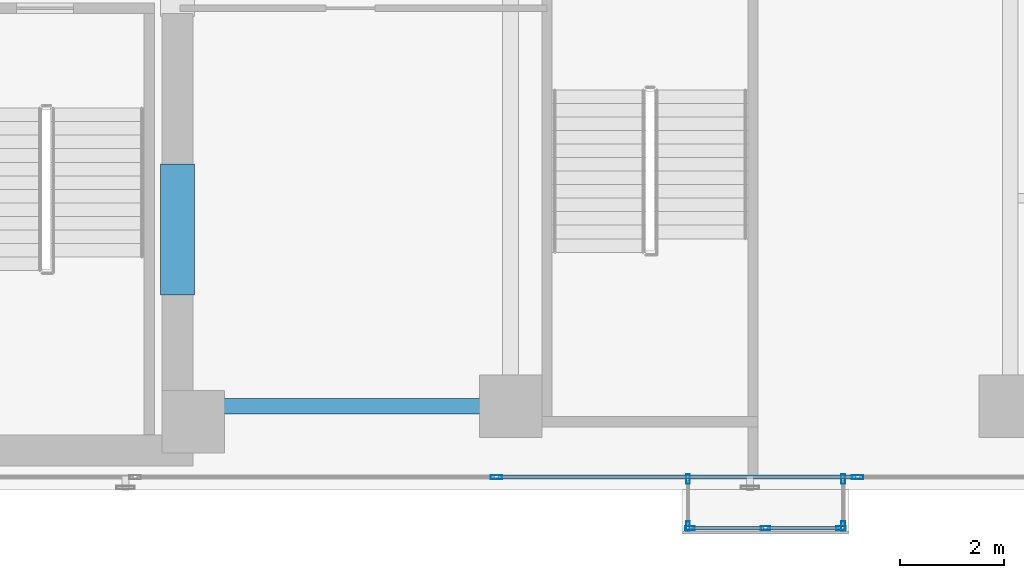
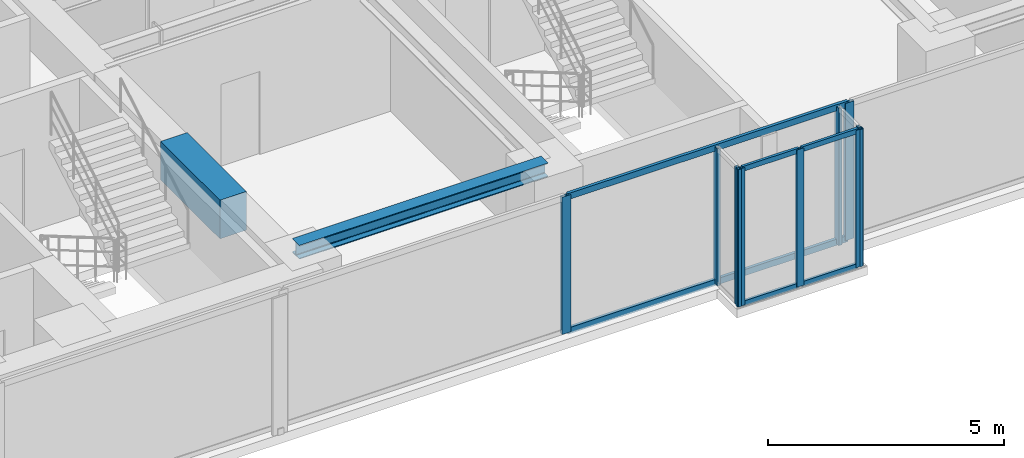
# One storey, part 4 of 24: 15 members, 2 beams, 4 elements without a shape of their own.
"""IFC4 building model written with IfcOpenShell, lengths in metres."""

from ifc_helpers import new_model, si_unit, direction, frame, origin, origin_with_axes, origin_2d, place, context, subcontext, project, spatial, rectangle, hollow_rectangle, i_section, extrude, source, transform, mapped, material, layer, layer_set, material_profile, profile_set, type_object, element, aggregate, save


model = new_model("IFC4")

# Units and contexts
model_context = context("Model", 3, precision=1e-05, world=origin(), true_north=direction((0.0, 1.0)))
body_context = subcontext(model_context, "Body", "Model", "MODEL_VIEW")
ifc_project = project(units=[si_unit("LENGTHUNIT", "METRE"), si_unit("AREAUNIT", "SQUARE_METRE"), si_unit("VOLUMEUNIT", "CUBIC_METRE"), si_unit("PLANEANGLEUNIT", "RADIAN"), si_unit("MASSUNIT", "GRAM", prefix="KILO")], contexts=[model_context])

# Site, building, storey
site_placement = place(None, origin())
site = spatial("IfcSite", under=ifc_project, at=site_placement, CompositionType="ELEMENT")
building_placement = place(site_placement, origin())
building = spatial("IfcBuilding", under=site, at=building_placement, Name="Kolvaren Waterfront Exchange", CompositionType="ELEMENT")
storey_placement = place(building_placement, frame((0.0, 0.0, 157.60009765625)))
storey = spatial("IfcBuildingStorey", under=building, at=storey_placement, Name="L40", CompositionType="ELEMENT", Elevation=157.60009765625)

# Beams
ifc_material_1 = material(Name="Steel S355", Category="steel")
ifc_material_profile_1 = material_profile(ifc_material_1, i_section(OverallWidth=0.300048828125, OverallDepth=0.360107421875, WebThickness=0.012451171875, FlangeThickness=0.0224609375, FilletRadius=0.027099609375, at=origin_2d()), Name="HEB360")
ifc_profile_set_1 = profile_set([ifc_material_profile_1], Name="Steel S355")
beam_type_1 = type_object("IfcBeamType", Name="STR-BM-HEB360", PredefinedType="SPANDREL", material=ifc_profile_set_1)
beam_1_placement = place(storey_placement, frame((21.10009765625, 5.199951171875, 3.3798828125), z_axis=(1.0, 0.0, 0.0), x_axis=(0.0, 1.0, 0.0)))
element("IfcBeam", 1, at=beam_1_placement, inside=storey, type_object=beam_type_1, Name="L40 east-arm spandrel S1", PredefinedType="SPANDREL", context=body_context, shape_type="SweptSolid", body=[
    extrude(i_section(OverallWidth=0.300048828125, OverallDepth=0.360107421875, WebThickness=0.012451171875, FlangeThickness=0.0224609375, FilletRadius=0.027099609375, at=origin_2d()), origin(), (0.0, 0.0, 1.0), 6.099853515625),
])
ifc_material_2 = material(Name="Concrete C60/75", Category="concrete")
ifc_material_profile_2 = material_profile(ifc_material_2, rectangle(XDim=0.64990234375, YDim=1.0, at=origin_2d()), Name="RC-CB-1000x650")
ifc_profile_set_2 = profile_set([ifc_material_profile_2], Name="Concrete C60/75")
beam_type_2 = type_object("IfcBeamType", Name="STR-CB-1000", PredefinedType="SPANDREL", material=ifc_profile_set_2)
beam_2_placement = place(storey_placement, frame((20.800048828125, 7.340087890625, 3.059814453125), z_axis=(0.0, 1.0, 0.0), x_axis=(-1.0, 0.0, 0.0)))
element("IfcBeam", 2, at=beam_2_placement, inside=storey, type_object=beam_type_2, Name="L40 core coupling beam 1", PredefinedType="SPANDREL", context=body_context, shape_type="SweptSolid", body=[
    extrude(rectangle(XDim=0.64990234375, YDim=1.0, at=origin_2d()), origin(), (0.0, 0.0, 1.0), 2.52001953125),
])

# Curtain wall, members
ifc_material_3 = material(Name="Anodised bronze aluminium 6063-T6", Category="aluminium")
ifc_layer_1 = layer(ifc_material_3, 0.219970703125, Name="Anodised bronze aluminium 6063-T6")
ifc_layer_set_1 = layer_set([ifc_layer_1], Name="Anodised bronze aluminium 6063-T6")
curtain_wall_type_1 = type_object("IfcCurtainWallType", Name="ARC-CW-SYS3", PredefinedType="USERDEFINED", material=ifc_layer_set_1)
curtain_wall_1_placement = place(storey_placement, origin())
curtain_wall_1 = element("IfcCurtainWall", 3, at=curtain_wall_1_placement, inside=storey, type_object=curtain_wall_type_1, Name="L40 stick curtain wall CW3 (CW-L40-BOX)", ObjectType="STICK CURTAIN WALL", PredefinedType="USERDEFINED")
ifc_material_profile_3 = material_profile(ifc_material_3, hollow_rectangle(XDim=0.06494140625, YDim=0.1298828125, WallThickness=0.00390625, at=origin_2d()), Name="ALU-TRN-130x65x4")
ifc_profile_set_3 = profile_set([ifc_material_profile_3], Name="Anodised bronze aluminium 6063-T6")
member_type_1 = type_object("IfcMemberType", Name="ARC-CWT-130", PredefinedType="USERDEFINED", material=ifc_profile_set_3)
shared_shape_1 = source(origin_with_axes(), body_context, "Body", "SweptSolid", [
    extrude(hollow_rectangle(XDim=0.06494140625, YDim=0.1298828125, WallThickness=0.00390625, at=origin_2d()), origin(), (0.0, 0.0, 1.0), 1.37744140625),
])
member_1_placement = place(storey_placement, frame((30.68505859375, 2.860107421875, 0.032470703125), z_axis=(1.0, 0.0, 0.0), x_axis=(0.0, 1.0, 0.0)))
member_1 = element("IfcMember", 4, at=member_1_placement, type_object=member_type_1, Name="CW3 transom 1.1", ObjectType="TRANSOM", PredefinedType="USERDEFINED", context=body_context, shape_type="MappedRepresentation", body=[
    mapped(shared_shape_1, transform((0.0, 0.0, 0.0), x_axis=(1.0, 0.0, 0.0), y_axis=(0.0, 1.0, 0.0), z_axis=(0.0, 0.0, 1.0), scale=1.0)),
])
member_2_placement = place(storey_placement, frame((30.68505859375, 2.860107421875, 3.52734375), z_axis=(1.0, 0.0, 0.0), x_axis=(0.0, 1.0, 0.0)))
member_2 = element("IfcMember", 5, at=member_2_placement, type_object=member_type_1, Name="CW3 transom 1.2", ObjectType="TRANSOM", PredefinedType="USERDEFINED", context=body_context, shape_type="MappedRepresentation", body=[
    mapped(shared_shape_1, transform((0.0, 0.0, 0.0), x_axis=(1.0, 0.0, 0.0), y_axis=(0.0, 1.0, 0.0), z_axis=(0.0, 0.0, 1.0), scale=1.0)),
])
member_3_placement = place(storey_placement, frame((32.137451171875, 2.860107421875, 0.032470703125), z_axis=(1.0, 0.0, 0.0), x_axis=(0.0, 1.0, 0.0)))
member_3 = element("IfcMember", 6, at=member_3_placement, type_object=member_type_1, Name="CW3 transom 2.1", ObjectType="TRANSOM", PredefinedType="USERDEFINED", context=body_context, shape_type="MappedRepresentation", body=[
    mapped(shared_shape_1, transform((0.0, 0.0, 0.0), x_axis=(1.0, 0.0, 0.0), y_axis=(0.0, 1.0, 0.0), z_axis=(0.0, 0.0, 1.0), scale=1.0)),
])
member_4_placement = place(storey_placement, frame((32.137451171875, 2.860107421875, 3.52734375), z_axis=(1.0, 0.0, 0.0), x_axis=(0.0, 1.0, 0.0)))
member_4 = element("IfcMember", 7, at=member_4_placement, type_object=member_type_1, Name="CW3 transom 2.2", ObjectType="TRANSOM", PredefinedType="USERDEFINED", context=body_context, shape_type="MappedRepresentation", body=[
    mapped(shared_shape_1, transform((0.0, 0.0, 0.0), x_axis=(1.0, 0.0, 0.0), y_axis=(0.0, 1.0, 0.0), z_axis=(0.0, 0.0, 1.0), scale=1.0)),
])

ifc_layer_2 = layer(ifc_material_3, 0.219970703125, Name="Anodised bronze aluminium 6063-T6")
ifc_layer_set_2 = layer_set([ifc_layer_2], Name="Anodised bronze aluminium 6063-T6")
curtain_wall_type_2 = type_object("IfcCurtainWallType", Name="ARC-CW-SYS1", PredefinedType="USERDEFINED", material=ifc_layer_set_2)
curtain_wall_2_placement = place(storey_placement, origin())
curtain_wall_2 = element("IfcCurtainWall", 8, at=curtain_wall_2_placement, inside=storey, type_object=curtain_wall_type_2, Name="L40 stick curtain wall CW1 (CW-L40-S)", ObjectType="STICK CURTAIN WALL", PredefinedType="USERDEFINED")
ifc_material_4 = material(Name="Anodised aluminium 6063-T6", Category="aluminium")
ifc_material_profile_4 = material_profile(ifc_material_4, hollow_rectangle(XDim=0.074951171875, YDim=0.159912109375, WallThickness=0.00439453125, at=origin_2d()), Name="ALU-TRN-160x75x4.5")
ifc_profile_set_4 = profile_set([ifc_material_profile_4], Name="Anodised aluminium 6063-T6")
member_type_2 = type_object("IfcMemberType", Name="ARC-CWT-160", PredefinedType="USERDEFINED", material=ifc_profile_set_4)
shared_shape_2 = source(origin_with_axes(), body_context, "Body", "SweptSolid", [
    extrude(hollow_rectangle(XDim=0.074951171875, YDim=0.159912109375, WallThickness=0.00439453125, at=origin_2d()), origin(), (0.0, 0.0, 1.0), 6.863037109375),
])
member_5_placement = place(storey_placement, frame((26.968505859375, 3.840087890625, 0.037353515625), z_axis=(1.0, 0.0, 0.0), x_axis=(0.0, 1.0, 0.0)))
member_5 = element("IfcMember", 9, at=member_5_placement, type_object=member_type_2, Name="CW1 transom 4.1", ObjectType="TRANSOM", PredefinedType="USERDEFINED", context=body_context, shape_type="MappedRepresentation", body=[
    mapped(shared_shape_2, transform((0.0, 0.0, 0.0), x_axis=(1.0, 0.0, 0.0), y_axis=(0.0, 1.0, 0.0), z_axis=(0.0, 0.0, 1.0), scale=1.0)),
])
member_6_placement = place(storey_placement, frame((26.968505859375, 3.840087890625, 3.5224609375), z_axis=(1.0, 0.0, 0.0), x_axis=(0.0, 1.0, 0.0)))
member_6 = element("IfcMember", 10, at=member_6_placement, type_object=member_type_2, Name="CW1 transom 4.2", ObjectType="TRANSOM", PredefinedType="USERDEFINED", context=body_context, shape_type="MappedRepresentation", body=[
    mapped(shared_shape_2, transform((0.0, 0.0, 0.0), x_axis=(1.0, 0.0, 0.0), y_axis=(0.0, 1.0, 0.0), z_axis=(0.0, 0.0, 1.0), scale=1.0)),
])

curtain_wall_3_placement = place(storey_placement, origin())
curtain_wall_3 = element("IfcCurtainWall", 11, at=curtain_wall_3_placement, inside=storey, type_object=curtain_wall_type_1, Name="L40 stick curtain wall CW3 (CW-L40-BOX-W)", ObjectType="STICK CURTAIN WALL", PredefinedType="USERDEFINED")
ifc_material_profile_5 = material_profile(ifc_material_3, hollow_rectangle(XDim=0.074951171875, YDim=0.179931640625, WallThickness=0.00439453125, at=origin_2d()), Name="ALU-MUL-180x75x4.5")
ifc_profile_set_5 = profile_set([ifc_material_profile_5], Name="Anodised bronze aluminium 6063-T6")
member_type_3 = type_object("IfcMemberType", Name="ARC-CWM-180", PredefinedType="MULLION", material=ifc_profile_set_5)
shared_shape_3 = source(origin_with_axes(), body_context, "Body", "SweptSolid", [
    extrude(hollow_rectangle(XDim=0.074951171875, YDim=0.179931640625, WallThickness=0.00439453125, at=origin_2d()), origin(), (0.0, 0.0, 1.0), 3.559814453125),
])
member_7_placement = place(storey_placement, frame((30.610107421875, 3.802490234375, 0.0), z_axis=(0.0, 0.0, 1.0), x_axis=(1.0, 0.0, 0.0)))
member_7 = element("IfcMember", 12, at=member_7_placement, type_object=member_type_3, Name="CW3 mullion 1", PredefinedType="MULLION", context=body_context, shape_type="MappedRepresentation", body=[
    mapped(shared_shape_3, transform((0.0, 0.0, 0.0), x_axis=(1.0, 0.0, 0.0), y_axis=(0.0, 1.0, 0.0), z_axis=(0.0, 0.0, 1.0), scale=1.0)),
])
member_8_placement = place(storey_placement, frame((30.610107421875, 2.8974609375, 0.0), z_axis=(0.0, 0.0, 1.0), x_axis=(1.0, 0.0, 0.0)))
member_8 = element("IfcMember", 13, at=member_8_placement, type_object=member_type_3, Name="CW3 mullion 2", PredefinedType="MULLION", context=body_context, shape_type="MappedRepresentation", body=[
    mapped(shared_shape_3, transform((0.0, 0.0, 0.0), x_axis=(1.0, 0.0, 0.0), y_axis=(0.0, 1.0, 0.0), z_axis=(0.0, 0.0, 1.0), scale=1.0)),
])
aggregate(curtain_wall_3, [member_7, member_8])

# Member
member_9_placement = place(storey_placement, frame((30.6474609375, 2.860107421875, 0.0), z_axis=(0.0, 0.0, 1.0), x_axis=(0.0, 1.0, 0.0)))
member_9 = element("IfcMember", 14, at=member_9_placement, type_object=member_type_3, Name="CW3 mullion 1", PredefinedType="MULLION", context=body_context, shape_type="MappedRepresentation", body=[
    mapped(shared_shape_3, transform((0.0, 0.0, 0.0), x_axis=(1.0, 0.0, 0.0), y_axis=(0.0, 1.0, 0.0), z_axis=(0.0, 0.0, 1.0), scale=1.0)),
])

member_10_placement = place(storey_placement, frame((32.10009765625, 2.860107421875, 0.0), z_axis=(0.0, 0.0, 1.0), x_axis=(0.0, 1.0, 0.0)))
member_10 = element("IfcMember", 15, at=member_10_placement, type_object=member_type_3, Name="CW3 mullion 2", PredefinedType="MULLION", context=body_context, shape_type="MappedRepresentation", body=[
    mapped(shared_shape_3, transform((0.0, 0.0, 0.0), x_axis=(1.0, 0.0, 0.0), y_axis=(0.0, 1.0, 0.0), z_axis=(0.0, 0.0, 1.0), scale=1.0)),
])

member_11_placement = place(storey_placement, frame((33.552490234375, 2.860107421875, 0.0), z_axis=(0.0, 0.0, 1.0), x_axis=(0.0, 1.0, 0.0)))
member_11 = element("IfcMember", 16, at=member_11_placement, type_object=member_type_3, Name="CW3 mullion 3", PredefinedType="MULLION", context=body_context, shape_type="MappedRepresentation", body=[
    mapped(shared_shape_3, transform((0.0, 0.0, 0.0), x_axis=(1.0, 0.0, 0.0), y_axis=(0.0, 1.0, 0.0), z_axis=(0.0, 0.0, 1.0), scale=1.0)),
])

aggregate(curtain_wall_1, [member_9, member_10, member_11, member_1, member_2, member_3, member_4])

# Curtain wall, members
curtain_wall_4_placement = place(storey_placement, origin())
curtain_wall_4 = element("IfcCurtainWall", 17, at=curtain_wall_4_placement, inside=storey, type_object=curtain_wall_type_1, Name="L40 stick curtain wall CW3 (CW-L40-BOX-E)", ObjectType="STICK CURTAIN WALL", PredefinedType="USERDEFINED")
member_12_placement = place(storey_placement, frame((33.590087890625, 2.8974609375, 0.0), z_axis=(0.0, 0.0, 1.0), x_axis=(-1.0, 0.0, 0.0)))
member_12 = element("IfcMember", 18, at=member_12_placement, type_object=member_type_3, Name="CW3 mullion 1", PredefinedType="MULLION", context=body_context, shape_type="MappedRepresentation", body=[
    mapped(shared_shape_3, transform((0.0, 0.0, 0.0), x_axis=(1.0, 0.0, 0.0), y_axis=(0.0, 1.0, 0.0), z_axis=(0.0, 0.0, 1.0), scale=1.0)),
])
member_13_placement = place(storey_placement, frame((33.590087890625, 3.802490234375, 0.0), z_axis=(0.0, 0.0, 1.0), x_axis=(-1.0, 0.0, 0.0)))
member_13 = element("IfcMember", 19, at=member_13_placement, type_object=member_type_3, Name="CW3 mullion 2", PredefinedType="MULLION", context=body_context, shape_type="MappedRepresentation", body=[
    mapped(shared_shape_3, transform((0.0, 0.0, 0.0), x_axis=(1.0, 0.0, 0.0), y_axis=(0.0, 1.0, 0.0), z_axis=(0.0, 0.0, 1.0), scale=1.0)),
])
aggregate(curtain_wall_4, [member_12, member_13])

# Member
ifc_material_profile_6 = material_profile(ifc_material_4, hollow_rectangle(XDim=0.080078125, YDim=0.219970703125, WallThickness=0.0048828125, at=origin_2d()), Name="ALU-MUL-220x80x5")
ifc_profile_set_6 = profile_set([ifc_material_profile_6], Name="Anodised aluminium 6063-T6")
member_type_4 = type_object("IfcMemberType", Name="ARC-CWM-220", PredefinedType="MULLION", material=ifc_profile_set_6)
shared_shape_4 = source(origin_with_axes(), body_context, "Body", "SweptSolid", [
    extrude(hollow_rectangle(XDim=0.080078125, YDim=0.219970703125, WallThickness=0.0048828125, at=origin_2d()), origin(), (0.0, 0.0, 1.0), 3.559814453125),
])
member_14_placement = place(storey_placement, frame((26.928466796875, 3.840087890625, 0.0), z_axis=(0.0, 0.0, 1.0), x_axis=(0.0, 1.0, 0.0)))
member_14 = element("IfcMember", 20, at=member_14_placement, type_object=member_type_4, Name="CW1 mullion 4", PredefinedType="MULLION", context=body_context, shape_type="MappedRepresentation", body=[
    mapped(shared_shape_4, transform((0.0, 0.0, 0.0), x_axis=(1.0, 0.0, 0.0), y_axis=(0.0, 1.0, 0.0), z_axis=(0.0, 0.0, 1.0), scale=1.0)),
])

member_15_placement = place(storey_placement, frame((33.871337890625, 3.840087890625, 0.0), z_axis=(0.0, 0.0, 1.0), x_axis=(0.0, 1.0, 0.0)))
member_15 = element("IfcMember", 21, at=member_15_placement, type_object=member_type_4, Name="CW1 mullion 5", PredefinedType="MULLION", context=body_context, shape_type="MappedRepresentation", body=[
    mapped(shared_shape_4, transform((0.0, 0.0, 0.0), x_axis=(1.0, 0.0, 0.0), y_axis=(0.0, 1.0, 0.0), z_axis=(0.0, 0.0, 1.0), scale=1.0)),
])

aggregate(curtain_wall_2, [member_14, member_15, member_5, member_6])

save(model, "model.ifc")
